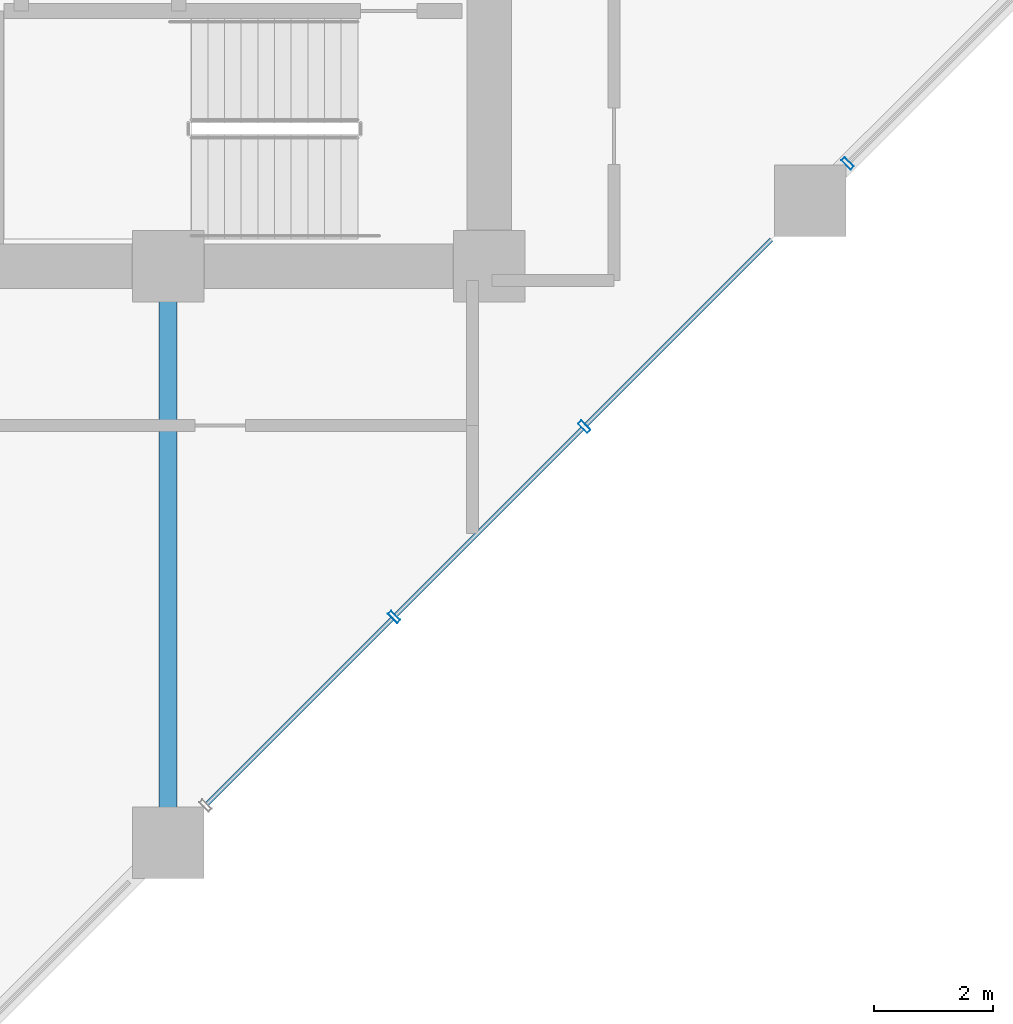
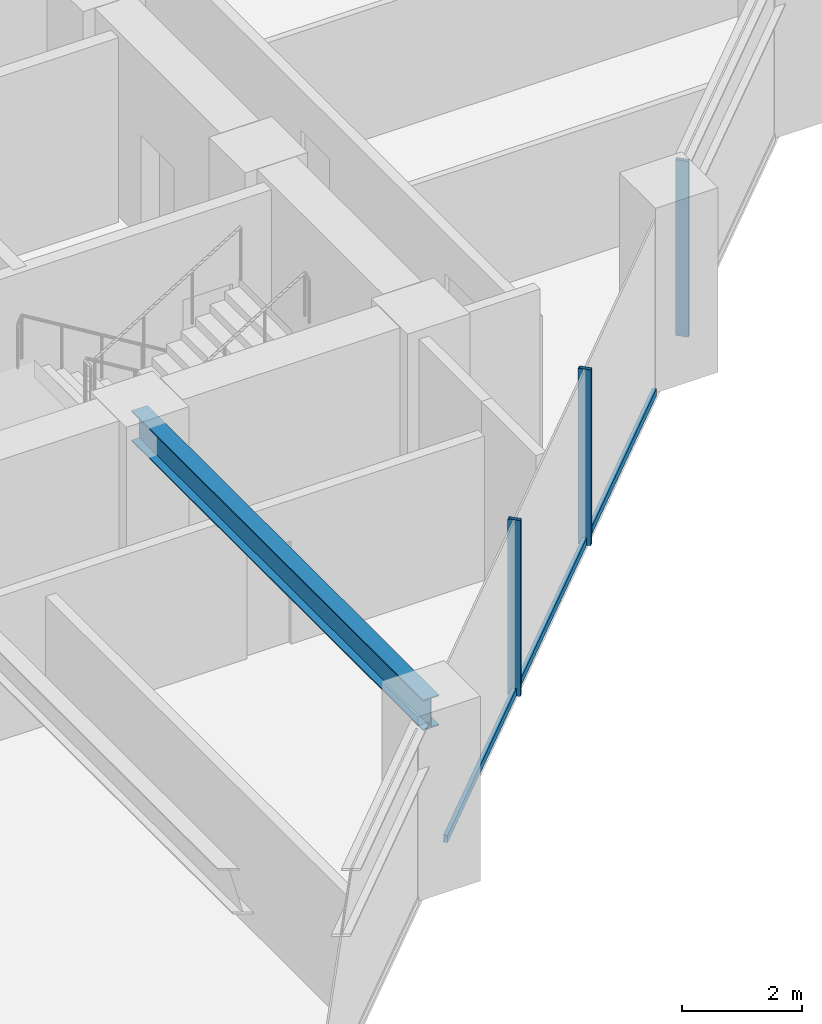
# One storey, part 8 of 28: 6 members, 1 beam, 1 element without a shape of its own.
"""IFC4 building model written with IfcOpenShell, lengths in metres."""

import ifcopenshell
import ifcopenshell.guid

model = None  # the IFC model being written
_history = None  # IfcOwnerHistory: only IFC2X3 demands one
_inside = {}  # id of a spatial element -> (the spatial element, [elements in it])
_under = {}  # id of a project, library or spatial element -> (it, [spatial elements below it])
_declared = {}  # id of a project -> (the project, [libraries it declares])
_typed = {}  # id of a type object -> (the type object, [elements of that type])
_made_of = {}  # id of a material, layer set ... -> (it, [elements and type objects made of it])


def new_model(schema):
    """Start an empty IFC model of exactly this schema.

    Asked for "IFC4X3", IfcOpenShell would pick the latest addendum, in which some entities
    have other attributes; the version numbers below select the first issue.
    IFC2X3 requires an IfcOwnerHistory on every rooted entity: one is made here for all.
    """
    global model, _history
    if schema == "IFC4X3":
        model = ifcopenshell.file(schema_version=(4, 3, 0, 0))
    else:
        model = ifcopenshell.file(schema=schema)
    _inside.clear()
    _under.clear()
    _declared.clear()
    _typed.clear()
    _made_of.clear()
    _history = None
    if model.schema == "IFC2X3":
        org = make("IfcOrganization", Name="unknown")
        user = make(
            "IfcPersonAndOrganization",
            ThePerson=make("IfcPerson", FamilyName="unknown"),
            TheOrganization=org,
        )
        app = make(
            "IfcApplication",
            ApplicationDeveloper=org,
            Version="unknown",
            ApplicationFullName="unknown",
            ApplicationIdentifier="unknown",
        )
        _history = make(
            "IfcOwnerHistory",
            OwningUser=user,
            OwningApplication=app,
            ChangeAction="ADDED",
            CreationDate=0,
        )
    return model


def make(cls, **values):
    """One entity of the class cls with the attributes given. An attribute that is None is left unset."""
    return model.create_entity(
        cls, **{name: value for name, value in values.items() if value is not None}
    )


def rooted(cls, **values):
    """An entity with a GlobalId (a new one), such as an element, a storey or a relation."""
    return make(cls, GlobalId=ifcopenshell.guid.new(), OwnerHistory=_history, **values)


def si_unit(unit_type, name, prefix=None):
    """IfcSIUnit, for example si_unit("LENGTHUNIT", "METRE", prefix="MILLI")."""
    return make("IfcSIUnit", UnitType=unit_type, Prefix=prefix, Name=name)


def assignment(units):
    """IfcUnitAssignment: the units of a project."""
    return None if units is None else make("IfcUnitAssignment", Units=units)


def point(xyz):
    """IfcCartesianPoint."""
    return None if xyz is None else make("IfcCartesianPoint", Coordinates=xyz)


def direction(xyz):
    """IfcDirection."""
    return None if xyz is None else make("IfcDirection", DirectionRatios=xyz)


def frame(location, z_axis=None, x_axis=None):
    """IfcAxis2Placement3D, a coordinate frame: its origin and axes. An axis left out is left unset."""
    return make(
        "IfcAxis2Placement3D",
        Location=point(location),
        Axis=direction(z_axis),
        RefDirection=direction(x_axis),
    )


def frame_2d(location, x_axis=None):
    """IfcAxis2Placement2D, a coordinate frame in the plane: its origin and x axis."""
    return make(
        "IfcAxis2Placement2D", Location=point(location), RefDirection=direction(x_axis)
    )


def origin():
    """The frame at (0, 0, 0) with its axes left unset."""
    return frame((0.0, 0.0, 0.0))


def origin_2d():
    """The frame at (0, 0) in the plane with its x axis left unset."""
    return frame_2d((0.0, 0.0))


def place(relative_to, where):
    """IfcLocalPlacement: puts the frame where relative to a parent placement (None: the world)."""
    return make(
        "IfcLocalPlacement", PlacementRelTo=relative_to, RelativePlacement=where
    )


def context(
    kind, dimensions, precision=None, world=None, true_north=None, identifier=None
):
    """IfcGeometricRepresentationContext, for example the 3D "Model" context."""
    return make(
        "IfcGeometricRepresentationContext",
        ContextIdentifier=identifier,
        ContextType=kind,
        CoordinateSpaceDimension=dimensions,
        Precision=precision,
        WorldCoordinateSystem=world,
        TrueNorth=true_north,
    )


def subcontext(parent, identifier, kind, view, scale=None):
    """IfcGeometricRepresentationSubContext, for example "Body" below "Model"."""
    return make(
        "IfcGeometricRepresentationSubContext",
        ContextIdentifier=identifier,
        ContextType=kind,
        ParentContext=parent,
        TargetScale=scale,
        TargetView=view,
    )


def project(units=None, contexts=None):
    """IfcProject with its units and contexts."""
    return rooted(
        "IfcProject",
        Name="project",
        RepresentationContexts=contexts,
        UnitsInContext=assignment(units),
    )


def spatial(cls, under=None, at=None, **own):
    """A site, building, storey or space (cls), placed at a placement, below another one or the project."""
    s = rooted(cls, ObjectPlacement=at, **own)
    if under is not None:
        _under.setdefault(under.id(), (under, []))[1].append(s)
    return s


def profile(cls, at=None, kind="AREA", **sizes):
    """A parametric profile (cls). Its sizes go by their IFC names, for example OverallWidth=200.0."""
    return make(cls, ProfileType=kind, Position=at, **sizes)


def hollow_rectangle(**sizes):
    """IfcRectangleHollowProfileDef."""
    return profile("IfcRectangleHollowProfileDef", **sizes)


def i_section(**sizes):
    """IfcIShapeProfileDef."""
    return profile("IfcIShapeProfileDef", **sizes)


def extrude(swept, where, along, depth):
    """IfcExtrudedAreaSolid: the profile swept, set in the frame where, extruded along a direction by depth."""
    return make(
        "IfcExtrudedAreaSolid",
        SweptArea=swept,
        Position=where,
        ExtrudedDirection=direction(along),
        Depth=depth,
    )


def shape(context_of_items, identifier, shape_type, items):
    """IfcShapeRepresentation: the items that make up one representation, for example the "Body"."""
    return make(
        "IfcShapeRepresentation",
        ContextOfItems=context_of_items,
        RepresentationIdentifier=identifier,
        RepresentationType=shape_type,
        Items=items,
    )


def material(Name=None, Category=None):
    """IfcMaterial."""
    return make("IfcMaterial", Name=Name, Category=Category)


def layer(
    of_material, thickness, ventilated=None, Name=None, Category=None, Priority=None
):
    """IfcMaterialLayer: one layer of a wall or slab, of a material (None: an air gap)."""
    return make(
        "IfcMaterialLayer",
        Material=of_material,
        LayerThickness=thickness,
        IsVentilated=ventilated,
        Name=Name,
        Category=Category,
        Priority=Priority,
    )


def layer_set(layers, Name=None):
    """IfcMaterialLayerSet."""
    return make("IfcMaterialLayerSet", MaterialLayers=layers, LayerSetName=Name)


def material_profile(
    of_material, cross_section, Name=None, Category=None, Priority=None
):
    """IfcMaterialProfile: a cross section and its material."""
    return make(
        "IfcMaterialProfile",
        Name=Name,
        Material=of_material,
        Profile=cross_section,
        Priority=Priority,
        Category=Category,
    )


def profile_set(profiles, Name=None, composite=None):
    """IfcMaterialProfileSet."""
    return make(
        "IfcMaterialProfileSet",
        Name=Name,
        MaterialProfiles=profiles,
        CompositeProfile=composite,
    )


def made_of(thing, what):
    """Note that an element or type object is made of a material, layer set ...; save() writes the relation."""
    if what is not None:
        _made_of.setdefault(what.id(), (what, []))[1].append(thing)
    return thing


def type_object(cls, material=None, **own):
    """A type object (cls), such as IfcWallType, which elements share."""
    return made_of(rooted(cls, **own), material)


def element(
    cls,
    number,
    at=None,
    inside=None,
    cuts=None,
    type_object=None,
    material=None,
    context=None,
    identifier="Body",
    shape_type=None,
    held_by="IfcProductDefinitionShape",
    body=None,
    shapes=None,
    **own,
):
    """One element of the class cls, such as IfcWall. Its Tag is "e" and its number.

    at: its placement. inside: the storey or other place that contains it. cuts: it is an
    opening in that element (IfcRelVoidsElement). A single representation is given by context,
    identifier, shape_type and body (its items); several are given by shapes. held_by: the class
    of the entity that holds the representations. save() writes the other relations.
    """
    e = rooted(cls, Tag="e%d" % number, ObjectPlacement=at, **own)
    if body is not None:
        shapes = [shape(context, identifier, shape_type, body)]
    if shapes is not None:
        e.Representation = make(held_by, Representations=shapes)
    if inside is not None:
        _inside.setdefault(inside.id(), (inside, []))[1].append(e)
    if cuts is not None:
        rooted(
            "IfcRelVoidsElement", RelatingBuildingElement=cuts, RelatedOpeningElement=e
        )
    if type_object is not None:
        _typed.setdefault(type_object.id(), (type_object, []))[1].append(e)
    return made_of(e, material)


def aggregate(whole, parts):
    """IfcRelAggregates: a whole, such as a stair, and the parts it consists of."""
    return rooted("IfcRelAggregates", RelatingObject=whole, RelatedObjects=parts)


def save(model, path):
    """Write the relations noted so far, then the file.

    IfcRelAggregates (storeys below a building ...), IfcRelContainedInSpatialStructure (elements
    in a storey), IfcRelDefinesByType, IfcRelAssociatesMaterial and IfcRelDeclares: one each for
    every whole, place, type object, material and project.
    """
    for whole, parts in _under.values():
        aggregate(whole, parts)
    for where, things in _inside.values():
        rooted(
            "IfcRelContainedInSpatialStructure",
            RelatedElements=things,
            RelatingStructure=where,
        )
    for kind, things in _typed.values():
        rooted("IfcRelDefinesByType", RelatedObjects=things, RelatingType=kind)
    for what, things in _made_of.values():
        rooted("IfcRelAssociatesMaterial", RelatedObjects=things, RelatingMaterial=what)
    for by, libraries in _declared.values():
        rooted("IfcRelDeclares", RelatingContext=by, RelatedDefinitions=libraries)
    model.write(path)


model = new_model("IFC4")

# Units and contexts
model_context = context("Model", 3, precision=1e-05, world=origin(), true_north=direction((0.0, 1.0)))
body_context = subcontext(model_context, "Body", "Model", "MODEL_VIEW")
ifc_project = project(units=[si_unit("LENGTHUNIT", "METRE"), si_unit("AREAUNIT", "SQUARE_METRE"), si_unit("VOLUMEUNIT", "CUBIC_METRE"), si_unit("PLANEANGLEUNIT", "RADIAN"), si_unit("MASSUNIT", "GRAM", prefix="KILO")], contexts=[model_context])

# Site, building, storey
site_placement = place(None, origin())
site = spatial("IfcSite", under=ifc_project, at=site_placement, CompositionType="ELEMENT")
building_placement = place(site_placement, origin())
building = spatial("IfcBuilding", under=site, at=building_placement, Name="Surkhivell Harbour Commons", CompositionType="ELEMENT")
storey_placement = place(building_placement, frame((0.0, 0.0, 63.75)))
storey = spatial("IfcBuildingStorey", under=building, at=storey_placement, Name="L16", CompositionType="ELEMENT", Elevation=63.75)

# Beam
ifc_material_1 = material(Name="Steel S355", Category="steel")
ifc_material_profile_1 = material_profile(ifc_material_1, i_section(OverallWidth=0.306884765625, OverallDepth=0.6201171875, WebThickness=0.01416015625, FlangeThickness=0.023681640625, at=origin_2d()), Name="UB610x305x179")
ifc_profile_set_1 = profile_set([ifc_material_profile_1], Name="Steel S355")
beam_type = type_object("IfcBeamType", Name="BM-GRD-610A", PredefinedType="BEAM", material=ifc_profile_set_1)
beam_placement = place(storey_placement, frame((5.39990234375, -20.5, 3.260009765625), z_axis=(0.0, 1.0, 0.0), x_axis=(-1.0, 0.0, 0.0)))
element("IfcBeam", 1, at=beam_placement, inside=storey, type_object=beam_type, Name="L16 Floor Girder (5.4,-20.5)", PredefinedType="BEAM", context=body_context, shape_type="SweptSolid", body=[
    extrude(i_section(OverallWidth=0.306884765625, OverallDepth=0.6201171875, WebThickness=0.01416015625, FlangeThickness=0.023681640625, at=origin_2d()), origin(), (0.0, 0.0, 1.0), 9.699951171875),
])

# Curtain wall, members
ifc_material_2 = material(Name="Anodised pale-metal aluminium and insulated glazing", Category="aluminium")
ifc_layer = layer(ifc_material_2, 0.219970703125)
ifc_layer_set = layer_set([ifc_layer], Name="Anodised pale-metal aluminium and insulated glazing")
curtain_wall_type = type_object("IfcCurtainWallType", Name="CW-SYS-Z1", PredefinedType="NOTDEFINED", material=ifc_layer_set)
curtain_wall_placement = place(storey_placement, origin())
curtain_wall = element("IfcCurtainWall", 2, at=curtain_wall_placement, inside=storey, type_object=curtain_wall_type, Name="L16 Curtain Wall CW-L16-E01", PredefinedType="NOTDEFINED")
ifc_material_3 = material(Name="Anodised pale-metal aluminium alloy 6063-T6", Category="aluminium")
ifc_material_profile_2 = material_profile(ifc_material_3, hollow_rectangle(XDim=0.074951171875, YDim=0.219970703125, WallThickness=0.00390625, at=origin_2d()), Name="ALU-MULL-75x220")
ifc_profile_set_2 = profile_set([ifc_material_profile_2], Name="Anodised pale-metal aluminium alloy 6063-T6")
member_type_1 = type_object("IfcMemberType", Name="CWM-220", PredefinedType="MULLION", material=ifc_profile_set_2)
member_1_placement = place(storey_placement, frame((9.20068359375, -16.699462890625, 0.0), z_axis=(0.0, 0.0, 1.0), x_axis=(0.707106781187, 0.707106781187, 0.0)))
member_1 = element("IfcMember", 3, at=member_1_placement, type_object=member_type_1, Name="CW-Z1 mullion 3", PredefinedType="MULLION", context=body_context, shape_type="SweptSolid", body=[
    extrude(hollow_rectangle(XDim=0.074951171875, YDim=0.219970703125, WallThickness=0.00390625, at=origin_2d()), origin(), (0.0, 0.0, 1.0), 3.570068359375),
])
member_2_placement = place(storey_placement, frame((12.3994140625, -13.50048828125, 0.0), z_axis=(0.0, 0.0, 1.0), x_axis=(0.707106781187, 0.707106781187, 0.0)))
member_2 = element("IfcMember", 4, at=member_2_placement, type_object=member_type_1, Name="CW-Z1 mullion 4", PredefinedType="MULLION", context=body_context, shape_type="SweptSolid", body=[
    extrude(hollow_rectangle(XDim=0.074951171875, YDim=0.219970703125, WallThickness=0.00390625, at=origin_2d()), origin(), (0.0, 0.0, 1.0), 3.570068359375),
])
member_3_placement = place(storey_placement, frame((16.828369140625, -9.07177734375, 0.0), z_axis=(0.0, 0.0, 1.0), x_axis=(0.707106781187, 0.707106781187, 0.0)))
member_3 = element("IfcMember", 5, at=member_3_placement, type_object=member_type_1, Name="CW-Z1 mullion 5", PredefinedType="MULLION", context=body_context, shape_type="SweptSolid", body=[
    extrude(hollow_rectangle(XDim=0.074951171875, YDim=0.219970703125, WallThickness=0.00390625, at=origin_2d()), origin(), (0.0, 0.0, 1.0), 3.570068359375),
])
ifc_material_profile_3 = material_profile(ifc_material_3, hollow_rectangle(XDim=0.074951171875, YDim=0.14990234375, WallThickness=0.00341796875, at=origin_2d()), Name="ALU-TRAN-75x150")
ifc_profile_set_3 = profile_set([ifc_material_profile_3], Name="Anodised pale-metal aluminium alloy 6063-T6")
member_type_2 = type_object("IfcMemberType", Name="CWT-150", PredefinedType="USERDEFINED", material=ifc_profile_set_3)
member_4_placement = place(storey_placement, frame((6.0546875, -19.84521484375, 0.074951171875), z_axis=(0.707106781187, 0.707106781187, 0.0), x_axis=(-0.707106781187, 0.707106781187, 0.0)))
member_4 = element("IfcMember", 6, at=member_4_placement, type_object=member_type_2, Name="CW-Z1 transom 2.1", ObjectType="TRANSOM", PredefinedType="USERDEFINED", context=body_context, shape_type="SweptSolid", body=[
    extrude(hollow_rectangle(XDim=0.074951171875, YDim=0.14990234375, WallThickness=0.00341796875, at=origin_2d()), origin(), (0.0, 0.0, 1.0), 4.411376953125),
])
member_5_placement = place(storey_placement, frame((9.22705078125, -16.6728515625, 0.074951171875), z_axis=(0.707106781187, 0.707106781187, 0.0), x_axis=(-0.707106781187, 0.707106781187, 0.0)))
member_5 = element("IfcMember", 7, at=member_5_placement, type_object=member_type_2, Name="CW-Z1 transom 3.1", ObjectType="TRANSOM", PredefinedType="USERDEFINED", context=body_context, shape_type="SweptSolid", body=[
    extrude(hollow_rectangle(XDim=0.074951171875, YDim=0.14990234375, WallThickness=0.00341796875, at=origin_2d()), origin(), (0.0, 0.0, 1.0), 4.44873046875),
])
member_6_placement = place(storey_placement, frame((12.426025390625, -13.47412109375, 0.074951171875), z_axis=(0.707079108482, 0.707134452808, 0.0), x_axis=(-0.707134452808, 0.707079108482, 0.0)))
member_6 = element("IfcMember", 8, at=member_6_placement, type_object=member_type_2, Name="CW-Z1 transom 4.1", ObjectType="TRANSOM", PredefinedType="USERDEFINED", context=body_context, shape_type="SweptSolid", body=[
    extrude(hollow_rectangle(XDim=0.074951171875, YDim=0.14990234375, WallThickness=0.00341796875, at=origin_2d()), origin(), (0.0, 0.0, 1.0), 4.411376953125),
])
aggregate(curtain_wall, [member_1, member_2, member_4, member_5, member_6, member_3])

save(model, "model.ifc")
